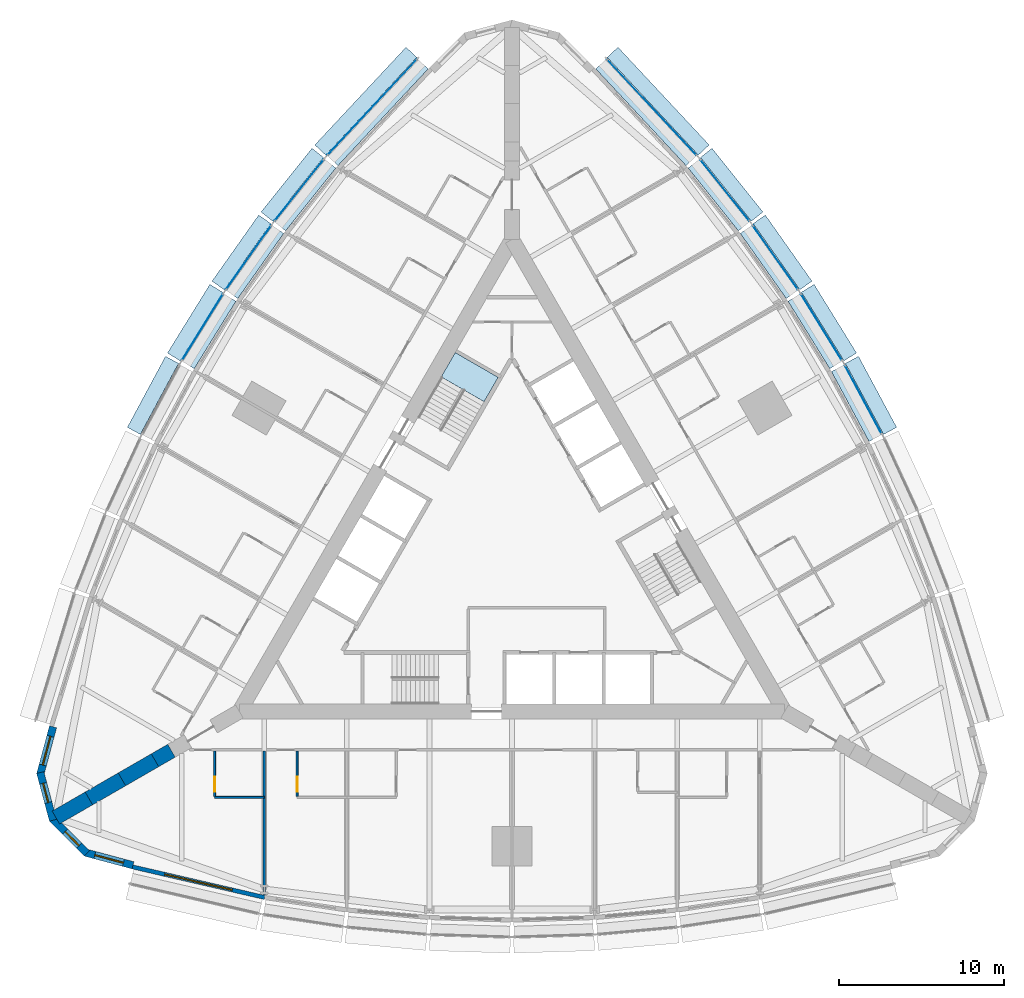
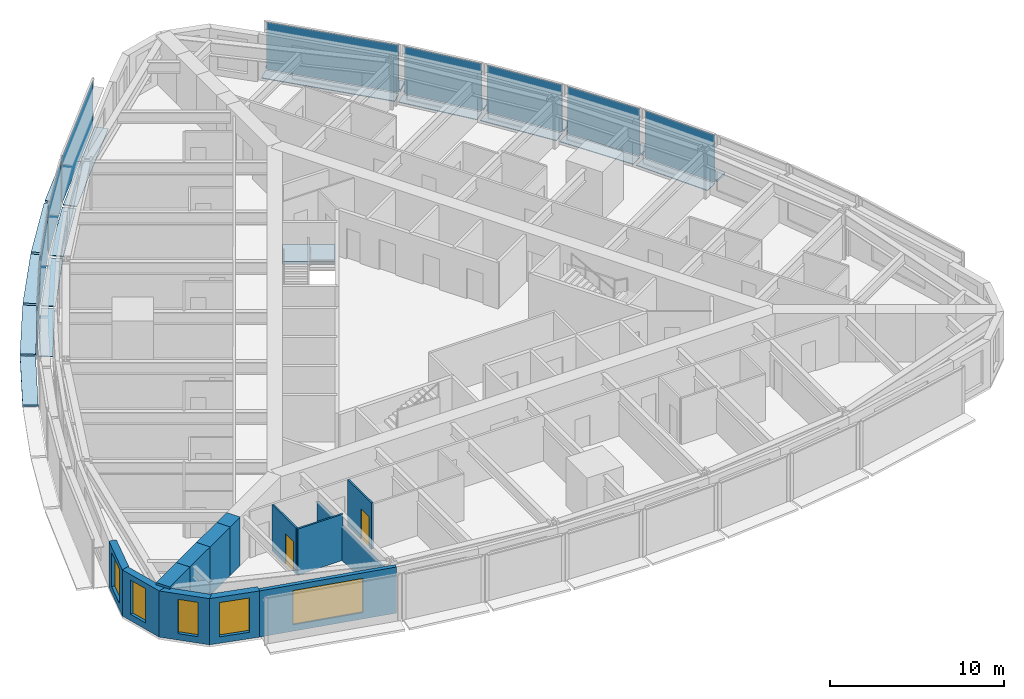
# One storey, part 7 of 14: 28 plates, 13 walls, 5 windows, 2 doors, 1 slab, 7 openings, 10 elements without a shape of their own.
"""IFC4 building model written with IfcOpenShell, lengths in metres."""

from ifc_helpers import new_model, si_unit, direction, frame, frame_2d, origin, origin_2d, place, context, subcontext, project, spatial, polyline, rectangle, outline, extrude, material, layer, layer_set, type_object, element, fill, aggregate, save


model = new_model("IFC4")

# Units and contexts
model_context = context("Model", 3, precision=1e-05, world=origin(), true_north=direction((0.0, 1.0)))
body_context = subcontext(model_context, "Body", "Model", "MODEL_VIEW")
ifc_project = project(units=[si_unit("LENGTHUNIT", "METRE"), si_unit("AREAUNIT", "SQUARE_METRE"), si_unit("VOLUMEUNIT", "CUBIC_METRE"), si_unit("PLANEANGLEUNIT", "RADIAN"), si_unit("MASSUNIT", "GRAM", prefix="KILO")], contexts=[model_context])

# Site, building, storey
site_placement = place(None, origin())
site = spatial("IfcSite", under=ifc_project, at=site_placement, CompositionType="ELEMENT")
building_placement = place(site_placement, origin())
building = spatial("IfcBuilding", under=site, at=building_placement, Name="Trikona Tower", CompositionType="ELEMENT")
storey_placement = place(building_placement, frame((0.0, 0.0, 45.5)))
storey = spatial("IfcBuildingStorey", under=building, at=storey_placement, Name="L10", CompositionType="ELEMENT", Elevation=45.5)

# Plates
ifc_material_1 = material(Name="Aluminium bar grating", Category="aluminium")
ifc_layer_1 = layer(ifc_material_1, 0.050048828125)
ifc_layer_set_1 = layer_set([ifc_layer_1], Name="Cavity catwalk grating")
plate_type_1 = type_object("IfcPlateType", Name="Cavity catwalk grating", PredefinedType="USERDEFINED", material=ifc_layer_set_1)
for number, where, z_axis, x_axis, name in (
    (1, (20.833740234375, 9.127197265625, -0.0498046875), (0.0, 0.0, 1.0), (-0.473422672721, 0.880835383572, 0.0), "Cavity catwalk L10-15"),
    (2, (18.3212890625, 13.47900390625, -0.0498046875), (0.0, 0.0, 1.0), (-0.526118935114, 0.85041099835, 0.0), "Cavity catwalk L10-16"),
):
    element("IfcPlate", number, at=place(storey_placement, frame(where, z_axis=z_axis, x_axis=x_axis)), inside=storey, type_object=plate_type_1, Name=name, ObjectType="CATWALK GRATING", PredefinedType="USERDEFINED", context=body_context, shape_type="SweptSolid", body=[
        extrude(rectangle(XDim=4.80224609375, YDim=0.820068359375, at=origin_2d()), origin(), (0.0, 0.0, 1.0), 0.050048828125),
    ])
plate_1_placement = place(storey_placement, frame((15.544189453125, 17.677734375, -0.0498046875), z_axis=(0.0, 0.0, 1.0), x_axis=(-0.576661909499, 0.816982889743, 0.0)))
element("IfcPlate", 3, at=plate_1_placement, inside=storey, type_object=plate_type_1, Name="Cavity catwalk L10-17", ObjectType="CATWALK GRATING", PredefinedType="USERDEFINED", context=body_context, shape_type="SweptSolid", body=[
    extrude(rectangle(XDim=4.82080078125, YDim=0.820068359375, at=origin_2d()), origin(), (0.0, 0.0, 1.0), 0.050048828125),
])
plate_2_placement = place(storey_placement, frame((12.502197265625, 21.72314453125, -0.0498046875), z_axis=(0.0, 0.0, 1.0), x_axis=(-0.624603618277, 0.780941944087, 0.0)))
element("IfcPlate", 4, at=plate_2_placement, inside=storey, type_object=plate_type_1, Name="Cavity catwalk L10-18", ObjectType="CATWALK GRATING", PredefinedType="USERDEFINED", context=body_context, shape_type="SweptSolid", body=[
    extrude(rectangle(XDim=4.857666015625, YDim=0.820068359375, at=origin_2d()), origin(), (0.0, 0.0, 1.0), 0.050048828125),
])
for number, where, z_axis, x_axis, name in (
    (5, (8.10107421875, 26.72314453125, -0.0498046875), (0.0, 0.0, 1.0), (-0.682298269147, 0.731073916864, 0.0), "Cavity catwalk L10-19"),
    (6, (-8.10107421875, 26.72314453125, -0.0498046875), (0.0, 0.0, 1.0), (-0.682298269147, -0.731073916864, 0.0), "Cavity catwalk L10-24"),
):
    element("IfcPlate", number, at=place(storey_placement, frame(where, z_axis=z_axis, x_axis=x_axis)), inside=storey, type_object=plate_type_1, Name=name, ObjectType="CATWALK GRATING", PredefinedType="USERDEFINED", context=body_context, shape_type="SweptSolid", body=[
        extrude(rectangle(XDim=8.01123046875, YDim=0.820068359375, at=origin_2d()), origin(), (0.0, 0.0, 1.0), 0.050048828125),
    ])
plate_3_placement = place(storey_placement, frame((-12.502197265625, 21.72314453125, -0.0498046875), z_axis=(0.0, 0.0, 1.0), x_axis=(-0.624603618277, -0.780941944087, 0.0)))
element("IfcPlate", 7, at=plate_3_placement, inside=storey, type_object=plate_type_1, Name="Cavity catwalk L10-25", ObjectType="CATWALK GRATING", PredefinedType="USERDEFINED", context=body_context, shape_type="SweptSolid", body=[
    extrude(rectangle(XDim=4.857666015625, YDim=0.820068359375, at=origin_2d()), origin(), (0.0, 0.0, 1.0), 0.050048828125),
])
plate_4_placement = place(storey_placement, frame((-15.544189453125, 17.677734375, -0.0498046875), z_axis=(0.0, 0.0, 1.0), x_axis=(-0.576661909499, -0.816982889743, 0.0)))
element("IfcPlate", 8, at=plate_4_placement, inside=storey, type_object=plate_type_1, Name="Cavity catwalk L10-26", ObjectType="CATWALK GRATING", PredefinedType="USERDEFINED", context=body_context, shape_type="SweptSolid", body=[
    extrude(rectangle(XDim=4.82080078125, YDim=0.820068359375, at=origin_2d()), origin(), (0.0, 0.0, 1.0), 0.050048828125),
])
plate_5_placement = place(storey_placement, frame((-18.3212890625, 13.47900390625, -0.0498046875), z_axis=(0.0, 0.0, 1.0), x_axis=(-0.526118935114, -0.85041099835, 0.0)))
element("IfcPlate", 9, at=plate_5_placement, inside=storey, type_object=plate_type_1, Name="Cavity catwalk L10-27", ObjectType="CATWALK GRATING", PredefinedType="USERDEFINED", context=body_context, shape_type="SweptSolid", body=[
    extrude(rectangle(XDim=4.80224609375, YDim=0.820068359375, at=origin_2d()), origin(), (0.0, 0.0, 1.0), 0.050048828125),
])

# Curtain wall, plate
ifc_material_2 = material(Name="Aluminium curtain wall system", Category="aluminium")
curtain_wall_type = type_object("IfcCurtainWallType", Name="Curtain wall DS1", PredefinedType="NOTDEFINED", material=ifc_material_2)
curtain_wall_1_placement = place(storey_placement, origin())
curtain_wall_1 = element("IfcCurtainWall", 10, at=curtain_wall_1_placement, inside=storey, type_object=curtain_wall_type, Name="Curtain wall DS1 L10", PredefinedType="NOTDEFINED")
ifc_material_3 = material(Name="Laminated clear glass", Category="glass")
ifc_layer_2 = layer(ifc_material_3, 0.028076171875)
ifc_layer_set_2 = layer_set([ifc_layer_2], Name="Glass panel DS1")
plate_type_2 = type_object("IfcPlateType", Name="Glass panel DS1", PredefinedType="CURTAIN_PANEL", material=ifc_layer_set_2)
plate_6_placement = place(storey_placement, frame((21.265380859375, 9.359130859375, 0.0), z_axis=(0.0, 0.0, 1.0), x_axis=(-0.473408350896, 0.880843080975, 0.0)))
plate_6 = element("IfcPlate", 11, at=plate_6_placement, type_object=plate_type_2, Name="CW-DS1 panel 1.1", PredefinedType="CURTAIN_PANEL", context=body_context, shape_type="SweptSolid", body=[
    extrude(rectangle(XDim=4.72216796875, YDim=0.028076171875, at=origin_2d()), origin(), (0.0, 0.0, 1.0), 3.320068359375),
])
aggregate(curtain_wall_1, [plate_6])

curtain_wall_2_placement = place(storey_placement, origin())
curtain_wall_2 = element("IfcCurtainWall", 12, at=curtain_wall_2_placement, inside=storey, type_object=curtain_wall_type, Name="Curtain wall DS1 L10", PredefinedType="NOTDEFINED")
plate_7_placement = place(storey_placement, frame((18.738037109375, 13.73681640625, 0.0), z_axis=(0.0, 0.0, 1.0), x_axis=(-0.526119790842, 0.850410468941, 0.0)))
plate_7 = element("IfcPlate", 13, at=plate_7_placement, type_object=plate_type_2, Name="CW-DS1 panel 1.1", PredefinedType="CURTAIN_PANEL", context=body_context, shape_type="SweptSolid", body=[
    extrude(rectangle(XDim=4.722412109375, YDim=0.028076171875, at=origin_2d()), origin(), (0.0, 0.0, 1.0), 3.320068359375),
])
aggregate(curtain_wall_2, [plate_7])

curtain_wall_3_placement = place(storey_placement, origin())
curtain_wall_3 = element("IfcCurtainWall", 14, at=curtain_wall_3_placement, inside=storey, type_object=curtain_wall_type, Name="Curtain wall DS1 L10", PredefinedType="NOTDEFINED")
plate_8_placement = place(storey_placement, frame((15.9443359375, 17.960205078125, 0.0), z_axis=(0.0, 0.0, 1.0), x_axis=(-0.576658362928, 0.816985393055, 0.0)))
plate_8 = element("IfcPlate", 15, at=plate_8_placement, type_object=plate_type_2, Name="CW-DS1 panel 1.1", PredefinedType="CURTAIN_PANEL", context=body_context, shape_type="SweptSolid", body=[
    extrude(rectangle(XDim=4.74072265625, YDim=0.028076171875, at=origin_2d()), origin(), (0.0, 0.0, 1.0), 3.320068359375),
])
aggregate(curtain_wall_3, [plate_8])

curtain_wall_4_placement = place(storey_placement, origin())
curtain_wall_4 = element("IfcCurtainWall", 16, at=curtain_wall_4_placement, inside=storey, type_object=curtain_wall_type, Name="Curtain wall DS1 L10", PredefinedType="NOTDEFINED")
plate_9_placement = place(storey_placement, frame((12.884765625, 22.029296875, 0.0), z_axis=(0.0, 0.0, 1.0), x_axis=(-0.624608599951, 0.780937959679, 0.0)))
plate_9 = element("IfcPlate", 17, at=plate_9_placement, type_object=plate_type_2, Name="CW-DS1 panel 1.1", PredefinedType="CURTAIN_PANEL", context=body_context, shape_type="SweptSolid", body=[
    extrude(rectangle(XDim=4.777587890625, YDim=0.028076171875, at=origin_2d()), origin(), (0.0, 0.0, 1.0), 3.320068359375),
])
aggregate(curtain_wall_4, [plate_9])

curtain_wall_5_placement = place(storey_placement, origin())
curtain_wall_5 = element("IfcCurtainWall", 18, at=curtain_wall_5_placement, inside=storey, type_object=curtain_wall_type, Name="Curtain wall DS1 L10", PredefinedType="NOTDEFINED")
plate_10_placement = place(storey_placement, frame((8.459228515625, 27.057373046875, 0.0), z_axis=(0.0, 0.0, 1.0), x_axis=(-0.682295351967, 0.731076639405, 0.0)))
plate_10 = element("IfcPlate", 19, at=plate_10_placement, type_object=plate_type_2, Name="CW-DS1 panel 1.1", PredefinedType="CURTAIN_PANEL", context=body_context, shape_type="SweptSolid", body=[
    extrude(rectangle(XDim=7.93115234375, YDim=0.028076171875, at=origin_2d()), origin(), (0.0, 0.0, 1.0), 3.320068359375),
])
aggregate(curtain_wall_5, [plate_10])

curtain_wall_6_placement = place(storey_placement, origin())
curtain_wall_6 = element("IfcCurtainWall", 20, at=curtain_wall_6_placement, inside=storey, type_object=curtain_wall_type, Name="Curtain wall DS1 L10", PredefinedType="NOTDEFINED")
plate_11_placement = place(storey_placement, frame((-8.459228515625, 27.057373046875, 0.0), z_axis=(0.0, 0.0, 1.0), x_axis=(-0.682295351967, -0.731076639405, 0.0)))
plate_11 = element("IfcPlate", 21, at=plate_11_placement, type_object=plate_type_2, Name="CW-DS1 panel 1.1", PredefinedType="CURTAIN_PANEL", context=body_context, shape_type="SweptSolid", body=[
    extrude(rectangle(XDim=7.93115234375, YDim=0.028076171875, at=origin_2d()), origin(), (0.0, 0.0, 1.0), 3.320068359375),
])
aggregate(curtain_wall_6, [plate_11])

curtain_wall_7_placement = place(storey_placement, origin())
curtain_wall_7 = element("IfcCurtainWall", 22, at=curtain_wall_7_placement, inside=storey, type_object=curtain_wall_type, Name="Curtain wall DS1 L10", PredefinedType="NOTDEFINED")
plate_12_placement = place(storey_placement, frame((-12.884765625, 22.029296875, 0.0), z_axis=(0.0, 0.0, 1.0), x_axis=(-0.624608599951, -0.780937959679, 0.0)))
plate_12 = element("IfcPlate", 23, at=plate_12_placement, type_object=plate_type_2, Name="CW-DS1 panel 1.1", PredefinedType="CURTAIN_PANEL", context=body_context, shape_type="SweptSolid", body=[
    extrude(rectangle(XDim=4.777587890625, YDim=0.028076171875, at=origin_2d()), origin(), (0.0, 0.0, 1.0), 3.320068359375),
])
aggregate(curtain_wall_7, [plate_12])

curtain_wall_8_placement = place(storey_placement, origin())
curtain_wall_8 = element("IfcCurtainWall", 24, at=curtain_wall_8_placement, inside=storey, type_object=curtain_wall_type, Name="Curtain wall DS1 L10", PredefinedType="NOTDEFINED")
plate_13_placement = place(storey_placement, frame((-15.9443359375, 17.960205078125, 0.0), z_axis=(0.0, 0.0, 1.0), x_axis=(-0.576658362928, -0.816985393055, 0.0)))
plate_13 = element("IfcPlate", 25, at=plate_13_placement, type_object=plate_type_2, Name="CW-DS1 panel 1.1", PredefinedType="CURTAIN_PANEL", context=body_context, shape_type="SweptSolid", body=[
    extrude(rectangle(XDim=4.74072265625, YDim=0.028076171875, at=origin_2d()), origin(), (0.0, 0.0, 1.0), 3.320068359375),
])
aggregate(curtain_wall_8, [plate_13])

curtain_wall_9_placement = place(storey_placement, origin())
curtain_wall_9 = element("IfcCurtainWall", 26, at=curtain_wall_9_placement, inside=storey, type_object=curtain_wall_type, Name="Curtain wall DS1 L10", PredefinedType="NOTDEFINED")
plate_14_placement = place(storey_placement, frame((-18.738037109375, 13.73681640625, 0.0), z_axis=(0.0, 0.0, 1.0), x_axis=(-0.526119790842, -0.850410468941, 0.0)))
plate_14 = element("IfcPlate", 27, at=plate_14_placement, type_object=plate_type_2, Name="CW-DS1 panel 1.1", PredefinedType="CURTAIN_PANEL", context=body_context, shape_type="SweptSolid", body=[
    extrude(rectangle(XDim=4.722412109375, YDim=0.028076171875, at=origin_2d()), origin(), (0.0, 0.0, 1.0), 3.320068359375),
])
aggregate(curtain_wall_9, [plate_14])

# Plates
ifc_material_4 = material(Name="Aluminium plate fin, pale anodised, on stainless steel outriggers", Category="steel")
ifc_layer_3 = layer(ifc_material_4, 0.14990234375)
ifc_layer_set_3 = layer_set([ifc_layer_3], Name="Outer skin fin 900")
plate_type_3 = type_object("IfcPlateType", Name="Outer skin fin 900", PredefinedType="USERDEFINED", material=ifc_layer_set_3)
for number, where, z_axis, x_axis, name in (
    (28, (21.732421875, 9.610107421875, 0.0), (0.0, 0.0, 1.0), (-0.473422672721, 0.880835383572, 0.0), "Outer skin fin L10-15"),
    (29, (19.188720703125, 14.015625, 0.0), (0.0, 0.0, 1.0), (-0.526118935114, 0.85041099835, 0.0), "Outer skin fin L10-16"),
):
    element("IfcPlate", number, at=place(storey_placement, frame(where, z_axis=z_axis, x_axis=x_axis)), inside=storey, type_object=plate_type_3, Name=name, ObjectType="FIN", PredefinedType="USERDEFINED", context=body_context, shape_type="SweptSolid", body=[
        extrude(rectangle(XDim=4.88232421875, YDim=0.89990234375, at=origin_2d()), origin(), (0.0, 0.0, 1.0), 0.14990234375),
    ])
plate_15_placement = place(storey_placement, frame((16.37744140625, 18.265869140625, 0.0), z_axis=(0.0, 0.0, 1.0), x_axis=(-0.576661909499, 0.816982889743, 0.0)))
element("IfcPlate", 30, at=plate_15_placement, inside=storey, type_object=plate_type_3, Name="Outer skin fin L10-17", ObjectType="FIN", PredefinedType="USERDEFINED", context=body_context, shape_type="SweptSolid", body=[
    extrude(rectangle(XDim=4.90087890625, YDim=0.89990234375, at=origin_2d()), origin(), (0.0, 0.0, 1.0), 0.14990234375),
])
plate_16_placement = place(storey_placement, frame((13.298583984375, 22.360107421875, 0.0), z_axis=(0.0, 0.0, 1.0), x_axis=(-0.624603618277, 0.780941944087, 0.0)))
element("IfcPlate", 31, at=plate_16_placement, inside=storey, type_object=plate_type_3, Name="Outer skin fin L10-18", ObjectType="FIN", PredefinedType="USERDEFINED", context=body_context, shape_type="SweptSolid", body=[
    extrude(rectangle(XDim=4.9375, YDim=0.89990234375, at=origin_2d()), origin(), (0.0, 0.0, 1.0), 0.14990234375),
])
for number, where, z_axis, x_axis, name in (
    (32, (8.8466796875, 27.419189453125, 0.0), (0.0, 0.0, 1.0), (-0.682298269147, 0.731073916864, 0.0), "Outer skin fin L10-19"),
    (33, (-8.8466796875, 27.419189453125, 0.0), (0.0, 0.0, 1.0), (-0.682298269147, -0.731073916864, 0.0), "Outer skin fin L10-24"),
):
    element("IfcPlate", number, at=place(storey_placement, frame(where, z_axis=z_axis, x_axis=x_axis)), inside=storey, type_object=plate_type_3, Name=name, ObjectType="FIN", PredefinedType="USERDEFINED", context=body_context, shape_type="SweptSolid", body=[
        extrude(rectangle(XDim=8.09130859375, YDim=0.89990234375, at=origin_2d()), origin(), (0.0, 0.0, 1.0), 0.14990234375),
    ])
plate_17_placement = place(storey_placement, frame((-13.298583984375, 22.360107421875, 0.0), z_axis=(0.0, 0.0, 1.0), x_axis=(-0.624603618277, -0.780941944087, 0.0)))
element("IfcPlate", 34, at=plate_17_placement, inside=storey, type_object=plate_type_3, Name="Outer skin fin L10-25", ObjectType="FIN", PredefinedType="USERDEFINED", context=body_context, shape_type="SweptSolid", body=[
    extrude(rectangle(XDim=4.9375, YDim=0.89990234375, at=origin_2d()), origin(), (0.0, 0.0, 1.0), 0.14990234375),
])
plate_18_placement = place(storey_placement, frame((-16.37744140625, 18.265869140625, 0.0), z_axis=(0.0, 0.0, 1.0), x_axis=(-0.576661909499, -0.816982889743, 0.0)))
element("IfcPlate", 35, at=plate_18_placement, inside=storey, type_object=plate_type_3, Name="Outer skin fin L10-26", ObjectType="FIN", PredefinedType="USERDEFINED", context=body_context, shape_type="SweptSolid", body=[
    extrude(rectangle(XDim=4.90087890625, YDim=0.89990234375, at=origin_2d()), origin(), (0.0, 0.0, 1.0), 0.14990234375),
])
for number, where, z_axis, x_axis, name in (
    (36, (-19.188720703125, 14.015625, 0.0), (0.0, 0.0, 1.0), (-0.526118935114, -0.85041099835, 0.0), "Outer skin fin L10-27"),
    (37, (-21.732421875, 9.610107421875, 0.0), (0.0, 0.0, 1.0), (-0.473422672721, -0.880835383572, 0.0), "Outer skin fin L10-28"),
):
    element("IfcPlate", number, at=place(storey_placement, frame(where, z_axis=z_axis, x_axis=x_axis)), inside=storey, type_object=plate_type_3, Name=name, ObjectType="FIN", PredefinedType="USERDEFINED", context=body_context, shape_type="SweptSolid", body=[
        extrude(rectangle(XDim=4.88232421875, YDim=0.89990234375, at=origin_2d()), origin(), (0.0, 0.0, 1.0), 0.14990234375),
    ])

# Stair, slab
ifc_material_5 = material(Name="Concrete f'c 5000 psi", Category="concrete")
stair_type = type_object("IfcStairType", Name="Core stair", PredefinedType="HALF_TURN_STAIR", material=ifc_material_5)
stair_placement = place(storey_placement, origin())
stair = element("IfcStair", 38, at=stair_placement, inside=storey, type_object=stair_type, Name="Stair C L10", PredefinedType="HALF_TURN_STAIR")
ifc_material_6 = material(Name="Concrete f'c 5000 psi", Category="concrete")
ifc_layer_4 = layer(ifc_material_6, 0.199951171875)
ifc_layer_set_4 = layer_set([ifc_layer_4], Name="Stair landing 200")
slab_type = type_object("IfcSlabType", Name="Stair landing 200", PredefinedType="LANDING", material=ifc_layer_set_4)
slab_placement = place(storey_placement, frame((0.0, 0.0, 1.5)))
slab = element("IfcSlab", 39, at=slab_placement, type_object=slab_type, Name="ST-C landing 2", PredefinedType="LANDING", context=body_context, shape_type="SweptSolid", body=[
    extrude(outline(polyline([(-0.837158203125, 10.702392578125), (-1.688720703125, 9.2275390625), (-4.286865234375, 10.7275390625), (-3.435302734375, 12.202392578125), (-0.837158203125, 10.702392578125)])), origin(), (0.0, 0.0, 1.0), 0.199951171875),
])
aggregate(stair, [slab])

# Wall
ifc_material_7 = material(Name="Metal stud and cement board", Category="gypsum")
ifc_layer_5 = layer(ifc_material_7, 0.1201171875)
ifc_layer_set_5 = layer_set([ifc_layer_5], Name="Bathroom wall 120")
wall_type_1 = type_object("IfcWallType", Name="Bathroom wall 120", PredefinedType="PLUMBINGWALL", material=ifc_layer_set_5)
wall_1_placement = place(storey_placement, frame((-18.0, -14.726318359375, 0.0), z_axis=(0.0, 0.0, 1.0), x_axis=(1.0, 0.0, 0.0)))
element("IfcWall", 40, at=wall_1_placement, inside=storey, type_object=wall_type_1, Name="Bathroom wall 1001", PredefinedType="PLUMBINGWALL", context=body_context, shape_type="SweptSolid", body=[
    extrude(rectangle(XDim=3.0, YDim=0.1201171875, at=frame_2d((1.5, 0.0))), origin(), (0.0, 0.0, 1.0), 3.235107421875),
])

# Wall, opening, door
wall_2_placement = place(storey_placement, frame((-18.0, -11.92626953125, 0.0), z_axis=(0.0, 0.0, 1.0), x_axis=(0.0, -1.0, 0.0)))
wall_2 = element("IfcWall", 41, at=wall_2_placement, inside=storey, type_object=wall_type_1, Name="Bathroom wall 1001", PredefinedType="PLUMBINGWALL", context=body_context, shape_type="SweptSolid", body=[
    extrude(rectangle(XDim=2.739990234375, YDim=0.1201171875, at=frame_2d((1.3701171875, 0.0))), origin(), (0.0, 0.0, 1.0), 3.235107421875),
])
opening_1_placement = place(wall_2_placement, frame((1.550048828125, 0.0, 0.0)))
opening_1 = element("IfcOpeningElement", 42, at=opening_1_placement, cuts=wall_2, Name="Opening D2", PredefinedType="OPENING", context=body_context, shape_type="SweptSolid", body=[
    extrude(rectangle(XDim=0.89990234375, YDim=2.1298828125, at=frame_2d((0.449951171875, 1.06494140625))), frame((0.0, 0.070068359375, 0.0), z_axis=(0.0, -1.0, 0.0), x_axis=(1.0, 0.0, 0.0)), (0.0, 0.0, 1.0), 0.14013671875),
])
ifc_material_8 = material(Name="Steel door frame with solid-core timber leaf", Category="steel")
door_type = type_object("IfcDoorType", Name="Bathroom door 900x2130", OperationType="SLIDING_TO_LEFT", PredefinedType="DOOR", material=ifc_material_8)
door_1_placement = place(opening_1_placement, origin())
door_1 = element("IfcDoor", 43, at=door_1_placement, inside=storey, type_object=door_type, Name="Bathroom door 1001", OperationType="SLIDING_TO_LEFT", OverallHeight=2.1298828125, OverallWidth=0.89990234375, PredefinedType="DOOR", context=body_context, shape_type="SweptSolid", body=[
    extrude(rectangle(XDim=0.89990234375, YDim=2.1298828125, at=frame_2d((0.449951171875, 1.06494140625))), frame((0.0, 0.02490234375, 0.0), z_axis=(0.0, -1.0, 0.0), x_axis=(1.0, 0.0, 0.0)), (0.0, 0.0, 1.0), 0.050048828125),
])
fill(opening_1, door_1)

wall_3_placement = place(storey_placement, frame((-13.0, -11.92626953125, 0.0), z_axis=(0.0, 0.0, 1.0), x_axis=(0.0, -1.0, 0.0)))
wall_3 = element("IfcWall", 44, at=wall_3_placement, inside=storey, type_object=wall_type_1, Name="Bathroom wall 1002", PredefinedType="PLUMBINGWALL", context=body_context, shape_type="SweptSolid", body=[
    extrude(rectangle(XDim=2.739990234375, YDim=0.1201171875, at=frame_2d((1.3701171875, 0.0))), origin(), (0.0, 0.0, 1.0), 3.235107421875),
])
opening_2_placement = place(wall_3_placement, frame((1.550048828125, 0.0, 0.0)))
opening_2 = element("IfcOpeningElement", 45, at=opening_2_placement, cuts=wall_3, Name="Opening D2", PredefinedType="OPENING", context=body_context, shape_type="SweptSolid", body=[
    extrude(rectangle(XDim=0.89990234375, YDim=2.1298828125, at=frame_2d((0.449951171875, 1.06494140625))), frame((0.0, 0.070068359375, 0.0), z_axis=(0.0, -1.0, 0.0), x_axis=(1.0, 0.0, 0.0)), (0.0, 0.0, 1.0), 0.14013671875),
])
door_2_placement = place(opening_2_placement, origin())
door_2 = element("IfcDoor", 46, at=door_2_placement, inside=storey, type_object=door_type, Name="Bathroom door 1002", OperationType="SLIDING_TO_LEFT", OverallHeight=2.1298828125, OverallWidth=0.89990234375, PredefinedType="DOOR", context=body_context, shape_type="SweptSolid", body=[
    extrude(rectangle(XDim=0.89990234375, YDim=2.1298828125, at=frame_2d((0.449951171875, 1.06494140625))), frame((0.0, 0.02490234375, 0.0), z_axis=(0.0, -1.0, 0.0), x_axis=(1.0, 0.0, 0.0)), (0.0, 0.0, 1.0), 0.050048828125),
])
fill(opening_2, door_2)

# Wall, opening, window
ifc_material_9 = material(Name="Brick-faced precast concrete", Category="masonry")
ifc_layer_6 = layer(ifc_material_9, 0.449951171875)
ifc_layer_set_6 = layer_set([ifc_layer_6], Name="Brick-faced corner wall 450")
wall_type_2 = type_object("IfcWallType", Name="Brick-faced corner wall 450", PredefinedType="SOLIDWALL", material=ifc_layer_set_6)
wall_4_placement = place(storey_placement, frame((-27.78271484375, -10.450439453125, 0.0), z_axis=(0.0, 0.0, 1.0), x_axis=(-0.258780998834, -0.965936019953, 0.0)))
wall_4 = element("IfcWall", 47, at=wall_4_placement, inside=storey, type_object=wall_type_2, Name="External wall L10-32", PredefinedType="SOLIDWALL", context=body_context, shape_type="SweptSolid", body=[
    extrude(rectangle(XDim=2.98876953125, YDim=0.449951171875, at=frame_2d((1.494384765625, 0.0))), origin(), (0.0, 0.0, 1.0), 3.235107421875),
])
opening_3_placement = place(wall_4_placement, frame((0.59423828125, 0.0, 0.449951171875)))
opening_3 = element("IfcOpeningElement", 48, at=opening_3_placement, cuts=wall_4, Name="Opening W1824", PredefinedType="OPENING", context=body_context, shape_type="SweptSolid", body=[
    extrude(rectangle(XDim=1.800048828125, YDim=2.39990234375, at=frame_2d((0.89990234375, 1.199951171875))), frame((0.0, 0.23486328125, 0.0), z_axis=(0.0, -1.0, 0.0), x_axis=(1.0, 0.0, 0.0)), (0.0, 0.0, 1.0), 0.469970703125),
])
ifc_material_10 = material(Name="Aluminium-framed double glazing", Category="aluminium")
window_type_1 = type_object("IfcWindowType", Name="Window 1800x2400", PartitioningType="SINGLE_PANEL", PredefinedType="WINDOW", material=ifc_material_10)
window_1_placement = place(opening_3_placement, origin())
window_1 = element("IfcWindow", 49, at=window_1_placement, inside=storey, type_object=window_type_1, Name="Window 1018", OverallHeight=2.39990234375, OverallWidth=1.800048828125, PartitioningType="SINGLE_PANEL", PredefinedType="WINDOW", context=body_context, shape_type="SweptSolid", body=[
    extrude(rectangle(XDim=1.800048828125, YDim=2.39990234375, at=frame_2d((0.89990234375, 1.199951171875))), frame((0.0, 0.030029296875, 0.0), z_axis=(0.0, -1.0, 0.0), x_axis=(1.0, 0.0, 0.0)), (0.0, 0.0, 1.0), 0.06005859375),
])
fill(opening_3, window_1)

wall_5_placement = place(storey_placement, frame((-28.55615234375, -13.220947265625, 0.0), z_axis=(0.0, 0.0, 1.0), x_axis=(0.258801419081, -0.965930548995, 0.0)))
wall_5 = element("IfcWall", 50, at=wall_5_placement, inside=storey, type_object=wall_type_2, Name="External wall L10-33", PredefinedType="SOLIDWALL", context=body_context, shape_type="SweptSolid", body=[
    extrude(outline(polyline([(2.988525390625, 0.22509765625), (2.928955078125, 0.22509765625), (2.437255859375, 0.09326171875), (2.402099609375, 0.22509765625), (0.0, 0.22509765625), (0.0, -0.22509765625), (2.988525390625, -0.22509765625), (2.988525390625, 0.22509765625)])), origin(), (0.0, 0.0, 1.0), 3.235107421875),
])
opening_4_placement = place(wall_5_placement, frame((0.676025390625, 0.0, 0.449951171875)))
opening_4 = element("IfcOpeningElement", 51, at=opening_4_placement, cuts=wall_5, Name="Opening W1224", PredefinedType="OPENING", context=body_context, shape_type="SweptSolid", body=[
    extrude(rectangle(XDim=1.199951171875, YDim=2.39990234375, at=frame_2d((0.60009765625, 1.199951171875))), frame((0.0, 0.23486328125, 0.0), z_axis=(0.0, -1.0, 0.0), x_axis=(1.0, 0.0, 0.0)), (0.0, 0.0, 1.0), 0.469970703125),
])
ifc_material_11 = material(Name="Aluminium-framed double glazing", Category="aluminium")
window_type_2 = type_object("IfcWindowType", Name="Window 1200x2400", PartitioningType="SINGLE_PANEL", PredefinedType="WINDOW", material=ifc_material_11)
window_2_placement = place(opening_4_placement, origin())
window_2 = element("IfcWindow", 52, at=window_2_placement, inside=storey, type_object=window_type_2, Name="Window 1018", OverallHeight=2.39990234375, OverallWidth=1.199951171875, PartitioningType="SINGLE_PANEL", PredefinedType="WINDOW", context=body_context, shape_type="SweptSolid", body=[
    extrude(rectangle(XDim=1.199951171875, YDim=2.39990234375, at=frame_2d((0.60009765625, 1.199951171875))), frame((0.0, 0.030029296875, 0.0), z_axis=(0.0, -1.0, 0.0), x_axis=(1.0, 0.0, 0.0)), (0.0, 0.0, 1.0), 0.06005859375),
])
fill(opening_4, window_2)

wall_6_placement = place(storey_placement, frame((-27.8408203125, -16.006591796875, 0.0), z_axis=(0.0, 0.0, 1.0), x_axis=(0.707025086683, -0.707188466253, 0.0)))
wall_6 = element("IfcWall", 53, at=wall_6_placement, inside=storey, type_object=wall_type_2, Name="External wall L10-34", PredefinedType="SOLIDWALL", context=body_context, shape_type="SweptSolid", body=[
    extrude(outline(polyline([(2.988525390625, 0.22509765625), (0.58642578125, 0.22509765625), (0.551025390625, 0.093017578125), (0.058837890625, 0.22509765625), (0.0, 0.22509765625), (0.0, -0.22509765625), (2.988525390625, -0.22509765625), (2.988525390625, 0.22509765625)])), origin(), (0.0, 0.0, 1.0), 3.235107421875),
])
opening_5_placement = place(wall_6_placement, frame((1.112548828125, 0.0, 0.449951171875)))
opening_5 = element("IfcOpeningElement", 54, at=opening_5_placement, cuts=wall_6, Name="Opening W1224", PredefinedType="OPENING", context=body_context, shape_type="SweptSolid", body=[
    extrude(rectangle(XDim=1.199951171875, YDim=2.39990234375, at=frame_2d((0.60009765625, 1.199951171875))), frame((0.0, 0.23486328125, 0.0), z_axis=(0.0, -1.0, 0.0), x_axis=(1.0, 0.0, 0.0)), (0.0, 0.0, 1.0), 0.469970703125),
])
window_3_placement = place(opening_5_placement, origin())
window_3 = element("IfcWindow", 55, at=window_3_placement, inside=storey, type_object=window_type_2, Name="Window 1001", OverallHeight=2.39990234375, OverallWidth=1.199951171875, PartitioningType="SINGLE_PANEL", PredefinedType="WINDOW", context=body_context, shape_type="SweptSolid", body=[
    extrude(rectangle(XDim=1.199951171875, YDim=2.39990234375, at=frame_2d((0.60009765625, 1.199951171875))), frame((0.0, 0.030029296875, 0.0), z_axis=(0.0, -1.0, 0.0), x_axis=(1.0, 0.0, 0.0)), (0.0, 0.0, 1.0), 0.06005859375),
])
fill(opening_5, window_3)

wall_7_placement = place(storey_placement, frame((-25.82861328125, -18.061767578125, 0.0), z_axis=(0.0, 0.0, 1.0), x_axis=(0.965930548995, -0.258801419081, 0.0)))
wall_7 = element("IfcWall", 56, at=wall_7_placement, inside=storey, type_object=wall_type_2, Name="External wall L10-35", PredefinedType="SOLIDWALL", context=body_context, shape_type="SweptSolid", body=[
    extrude(rectangle(XDim=2.988525390625, YDim=0.449951171875, at=frame_2d((1.494140625, 0.0))), origin(), (0.0, 0.0, 1.0), 3.235107421875),
])
opening_6_placement = place(wall_7_placement, frame((0.59423828125, 0.0, 0.449951171875)))
opening_6 = element("IfcOpeningElement", 57, at=opening_6_placement, cuts=wall_7, Name="Opening W1824", PredefinedType="OPENING", context=body_context, shape_type="SweptSolid", body=[
    extrude(rectangle(XDim=1.800048828125, YDim=2.39990234375, at=frame_2d((0.89990234375, 1.199951171875))), frame((0.0, 0.23486328125, 0.0), z_axis=(0.0, -1.0, 0.0), x_axis=(1.0, 0.0, 0.0)), (0.0, 0.0, 1.0), 0.469970703125),
])
window_4_placement = place(opening_6_placement, origin())
window_4 = element("IfcWindow", 58, at=window_4_placement, inside=storey, type_object=window_type_1, Name="Window 1001", OverallHeight=2.39990234375, OverallWidth=1.800048828125, PartitioningType="SINGLE_PANEL", PredefinedType="WINDOW", context=body_context, shape_type="SweptSolid", body=[
    extrude(rectangle(XDim=1.800048828125, YDim=2.39990234375, at=frame_2d((0.89990234375, 1.199951171875))), frame((0.0, 0.030029296875, 0.0), z_axis=(0.0, -1.0, 0.0), x_axis=(1.0, 0.0, 0.0)), (0.0, 0.0, 1.0), 0.06005859375),
])
fill(opening_6, window_4)

# Walls
ifc_material_12 = material(Name="Concrete f'c 10000 psi", Category="concrete")
ifc_layer_7 = layer(ifc_material_12, 0.89990234375)
ifc_layer_set_7 = layer_set([ifc_layer_7], Name="Buttress wall 900")
wall_type_3 = type_object("IfcWallType", Name="Buttress wall 900", PredefinedType="SHEAR", material=ifc_layer_set_7)
wall_8_placement = place(storey_placement, frame((-20.6103515625, -11.8994140625, 0.0), z_axis=(0.0, 0.0, 1.0), x_axis=(-0.866009537788, -0.500027479704, 0.0)))
element("IfcWall", 59, at=wall_8_placement, inside=storey, type_object=wall_type_3, Name="Buttress wall 3 part 2", PredefinedType="SHEAR", context=body_context, shape_type="SweptSolid", body=[
    extrude(rectangle(XDim=1.15478515625, YDim=0.89990234375, at=frame_2d((0.577392578125, 0.0))), origin(), (0.0, 0.0, 1.0), 3.39990234375),
])
for number, where, z_axis, x_axis, name in (
    (60, (-21.6103515625, -12.476806640625, 0.0), (0.0, 0.0, 1.0), (-0.866055313784, -0.499948190782, 0.0), "Buttress wall 3 part 3"),
    (61, (-23.6103515625, -13.63134765625, 0.0), (0.0, 0.0, 1.0), (-0.866009537788, -0.500027479704, 0.0), "Buttress wall 3 part 4"),
    (62, (-25.6103515625, -14.7861328125, 0.0), (0.0, 0.0, 1.0), (-0.866009537788, -0.500027479704, 0.0), "Buttress wall 3 part 5"),
):
    element("IfcWall", number, at=place(storey_placement, frame(where, z_axis=z_axis, x_axis=x_axis)), inside=storey, type_object=wall_type_3, Name=name, PredefinedType="SHEAR", context=body_context, shape_type="SweptSolid", body=[
        extrude(rectangle(XDim=2.309326171875, YDim=0.89990234375, at=frame_2d((1.15478515625, 0.0))), origin(), (0.0, 0.0, 1.0), 3.39990234375),
    ])

# Wall, opening, window
ifc_material_13 = material(Name="Insulated precast concrete spandrel panel", Category="concrete")
ifc_layer_8 = layer(ifc_material_13, 0.25)
ifc_layer_set_8 = layer_set([ifc_layer_8], Name="Inner skin wall 250")
wall_type_4 = type_object("IfcWallType", Name="Inner skin wall 250", PredefinedType="STANDARD", material=ifc_layer_set_8)
wall_9_placement = place(storey_placement, frame((-22.9716796875, -18.930908203125, 0.0), z_axis=(0.0, 0.0, 1.0), x_axis=(0.974279327392, -0.225343720163, 0.0)))
wall_9 = element("IfcWall", 63, at=wall_9_placement, inside=storey, type_object=wall_type_4, Name="External wall L10-00", PredefinedType="STANDARD", context=body_context, shape_type="SweptSolid", body=[
    extrude(rectangle(XDim=8.211181640625, YDim=0.25, at=frame_2d((4.10546875, 0.0))), origin(), (0.0, 0.0, 1.0), 3.235107421875),
])
opening_7_placement = place(wall_9_placement, frame((2.005615234375, 0.0, 0.449951171875)))
opening_7 = element("IfcOpeningElement", 64, at=opening_7_placement, cuts=wall_9, Name="Opening W4224", PredefinedType="OPENING", context=body_context, shape_type="SweptSolid", body=[
    extrude(rectangle(XDim=4.199951171875, YDim=2.39990234375, at=frame_2d((2.10009765625, 1.199951171875))), frame((0.0, 0.135009765625, 0.0), z_axis=(0.0, -1.0, 0.0), x_axis=(1.0, 0.0, 0.0)), (0.0, 0.0, 1.0), 0.27001953125),
])
ifc_material_14 = material(Name="Aluminium-framed double glazing", Category="aluminium")
window_type_3 = type_object("IfcWindowType", Name="Window 4200x2400", PartitioningType="SINGLE_PANEL", PredefinedType="WINDOW", material=ifc_material_14)
window_5_placement = place(opening_7_placement, origin())
window_5 = element("IfcWindow", 65, at=window_5_placement, inside=storey, type_object=window_type_3, Name="Window 1001", OverallHeight=2.39990234375, OverallWidth=4.199951171875, PartitioningType="SINGLE_PANEL", PredefinedType="WINDOW", context=body_context, shape_type="SweptSolid", body=[
    extrude(rectangle(XDim=4.199951171875, YDim=2.39990234375, at=frame_2d((2.10009765625, 1.199951171875))), frame((0.0, 0.030029296875, 0.0), z_axis=(0.0, -1.0, 0.0), x_axis=(1.0, 0.0, 0.0)), (0.0, 0.0, 1.0), 0.06005859375),
])
fill(opening_7, window_5)

# Wall
ifc_material_15 = material(Name="Metal stud and gypsum board, 1-hour acoustic", Category="gypsum")
ifc_layer_9 = layer(ifc_material_15, 0.14990234375)
ifc_layer_set_9 = layer_set([ifc_layer_9], Name="Party wall 150")
wall_type_5 = type_object("IfcWallType", Name="Party wall 150", PredefinedType="PARTITIONING", material=ifc_layer_set_9)
wall_10_placement = place(storey_placement, frame((-15.0, -11.92626953125, 0.0), z_axis=(0.0, 0.0, 1.0), x_axis=(0.0, -1.0, 0.0)))
element("IfcWall", 66, at=wall_10_placement, inside=storey, type_object=wall_type_5, Name="Partition L10 F1 u-15", PredefinedType="PARTITIONING", context=body_context, shape_type="SweptSolid", body=[
    extrude(rectangle(XDim=8.72021484375, YDim=0.14990234375, at=frame_2d((4.360107421875, 0.0))), origin(), (0.0, 0.0, 1.0), 2.38916015625),
])

save(model, "model.ifc")
